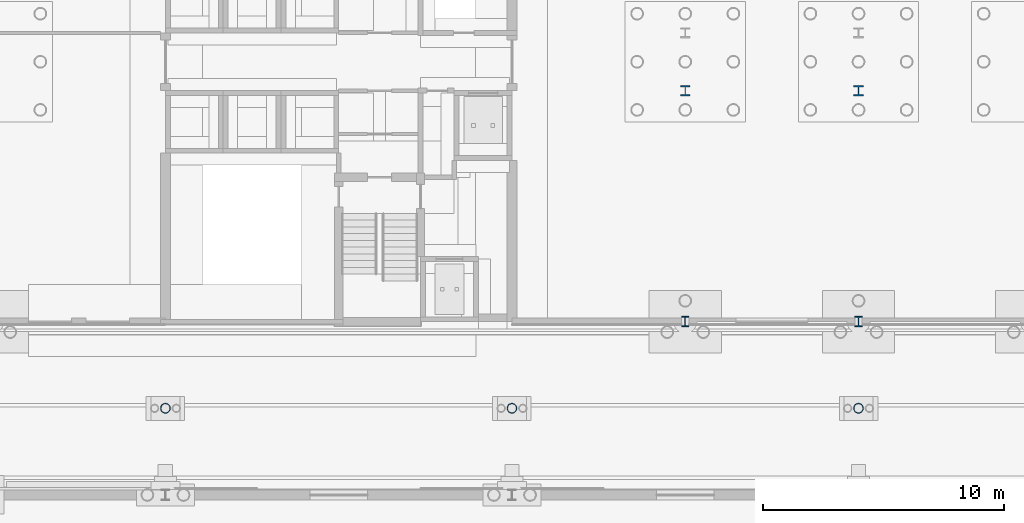
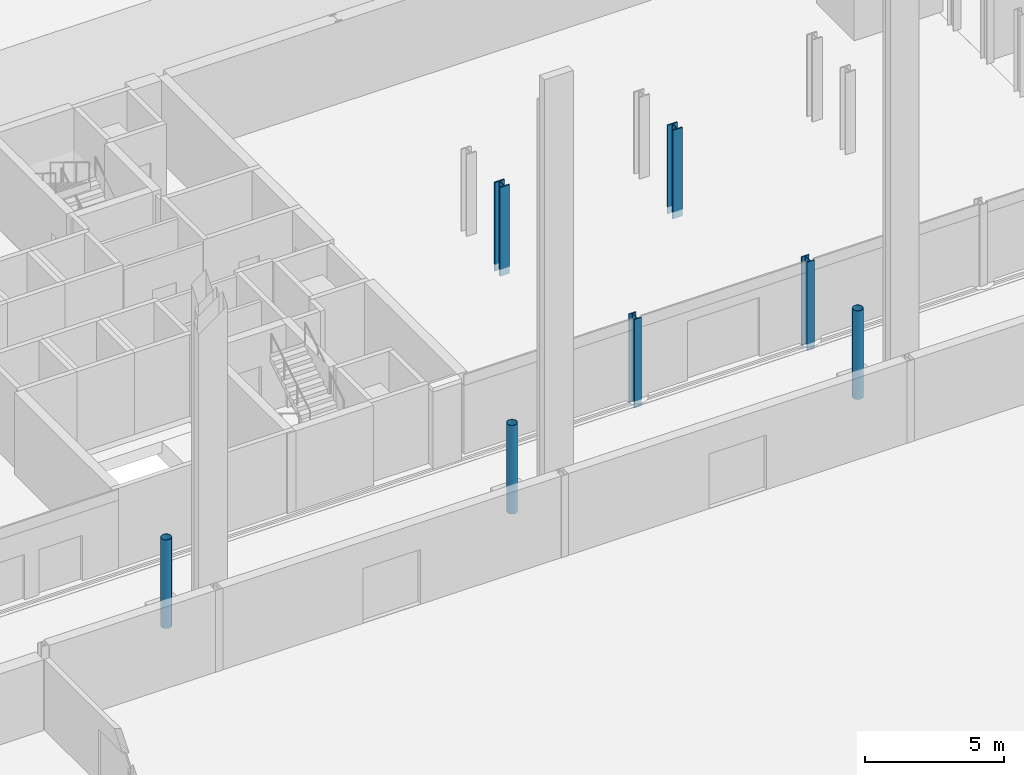
# One storey, part 60 of 148: 7 columns.
"""IFC4 building model written with IfcOpenShell, lengths in metres."""

from ifc_helpers import new_model, si_unit, direction, frame, origin, origin_2d, place, context, subcontext, project, spatial, hollow_circle, i_section, extrude, material, material_profile, profile_set, type_object, element, save


model = new_model("IFC4")

# Units and contexts
model_context = context("Model", 3, precision=1e-05, world=origin(), true_north=direction((0.0, 1.0)))
body_context = subcontext(model_context, "Body", "Model", "MODEL_VIEW")
ifc_project = project(units=[si_unit("LENGTHUNIT", "METRE"), si_unit("AREAUNIT", "SQUARE_METRE"), si_unit("VOLUMEUNIT", "CUBIC_METRE"), si_unit("PLANEANGLEUNIT", "RADIAN"), si_unit("MASSUNIT", "GRAM", prefix="KILO")], contexts=[model_context])

# Site, building, storey
site_placement = place(None, origin())
site = spatial("IfcSite", under=ifc_project, at=site_placement, CompositionType="ELEMENT")
building_placement = place(site_placement, origin())
building = spatial("IfcBuilding", under=site, at=building_placement, Name="Kupolbacken Congress Centre", CompositionType="ELEMENT")
storey_placement = place(building_placement, origin())
storey = spatial("IfcBuildingStorey", under=building, at=storey_placement, Name="L00", CompositionType="ELEMENT", Elevation=0.0)

# Columns
ifc_material_1 = material(Name="Steel S355", Category="steel")
ifc_material_profile_1 = material_profile(ifc_material_1, i_section(OverallWidth=0.408935546875, OverallDepth=0.425048828125, WebThickness=0.03271484375, FlangeThickness=0.052490234375, FilletRadius=0.014892578125, at=origin_2d()), Name="HD 400 x 421")
ifc_profile_set_1 = profile_set([ifc_material_profile_1], Name="Steel S355")
column_type_1 = type_object("IfcColumnType", Name="C01 column HD 400 x 421", PredefinedType="COLUMN", material=ifc_profile_set_1)
for number, where, z_axis, x_axis, name in (
    (1, (115.199951171875, 132.0, -0.300048828125), (0.0, 0.0, 1.0), (1.0, 0.0, 0.0), "S/col/C-T-17U+2400/L00"),
    (2, (122.39990234375, 132.0, -0.300048828125), (0.0, 0.0, 1.0), (1.0, 0.0, 0.0), "S/col/C-T-18U+2400/L00"),
):
    element("IfcColumn", number, at=place(storey_placement, frame(where, z_axis=z_axis, x_axis=x_axis)), inside=storey, type_object=column_type_1, Name=name, PredefinedType="COLUMN", context=body_context, shape_type="SweptSolid", body=[
        extrude(i_section(OverallWidth=0.408935546875, OverallDepth=0.425048828125, WebThickness=0.03271484375, FlangeThickness=0.052490234375, FilletRadius=0.014892578125, at=origin_2d()), origin(), (0.0, 0.0, 1.0), 3.900146484375),
    ])
ifc_material_2 = material(Name="Steel S355", Category="steel")
ifc_material_profile_2 = material_profile(ifc_material_2, i_section(OverallWidth=0.306884765625, OverallDepth=0.431884765625, WebThickness=0.02099609375, FlangeThickness=0.0400390625, FilletRadius=0.027099609375, at=origin_2d()), Name="HEM 400")
ifc_profile_set_2 = profile_set([ifc_material_profile_2], Name="Steel S355")
column_type_2 = type_object("IfcColumnType", Name="C02 column HEM 400", PredefinedType="COLUMN", material=ifc_profile_set_2)
for number, where, z_axis, x_axis, name in (
    (3, (115.199951171875, 122.39990234375, -0.300048828125), (0.0, 0.0, 1.0), (1.0, 0.0, 0.0), "S/col/C-T-17T/L00"),
    (4, (122.39990234375, 122.39990234375, -0.300048828125), (0.0, 0.0, 1.0), (1.0, 0.0, 0.0), "S/col/C-T-18T/L00"),
):
    element("IfcColumn", number, at=place(storey_placement, frame(where, z_axis=z_axis, x_axis=x_axis)), inside=storey, type_object=column_type_2, Name=name, PredefinedType="COLUMN", context=body_context, shape_type="SweptSolid", body=[
        extrude(i_section(OverallWidth=0.306884765625, OverallDepth=0.431884765625, WebThickness=0.02099609375, FlangeThickness=0.0400390625, FilletRadius=0.027099609375, at=origin_2d()), origin(), (0.0, 0.0, 1.0), 3.900146484375),
    ])
ifc_material_3 = material(Name="Steel S355", Category="steel")
ifc_material_profile_3 = material_profile(ifc_material_3, hollow_circle(Radius=0.203125, WallThickness=0.01611328125, at=origin_2d()), Name="CHS 406.4 x 16")
ifc_profile_set_3 = profile_set([ifc_material_profile_3], Name="Steel S355")
column_type_3 = type_object("IfcColumnType", Name="C15 roof mast CHS 406.4 x 16", PredefinedType="COLUMN", material=ifc_profile_set_3)
for number, where, z_axis, x_axis, name in (
    (5, (93.60009765625, 118.800048828125, -0.300048828125), (0.0, 0.0, 1.0), (1.0, 0.0, 0.0), "Roof mast M1N"),
    (6, (108.0, 118.800048828125, -0.300048828125), (0.0, 0.0, 1.0), (1.0, 0.0, 0.0), "Roof mast M2N"),
    (7, (122.39990234375, 118.800048828125, -0.300048828125), (0.0, 0.0, 1.0), (1.0, 0.0, 0.0), "Roof mast M3N"),
):
    element("IfcColumn", number, at=place(storey_placement, frame(where, z_axis=z_axis, x_axis=x_axis)), inside=storey, type_object=column_type_3, Name=name, PredefinedType="COLUMN", context=body_context, shape_type="SweptSolid", body=[
        extrude(hollow_circle(Radius=0.203125, WallThickness=0.01611328125, at=origin_2d()), origin(), (0.0, 0.0, 1.0), 3.900146484375),
    ])

save(model, "model.ifc")
